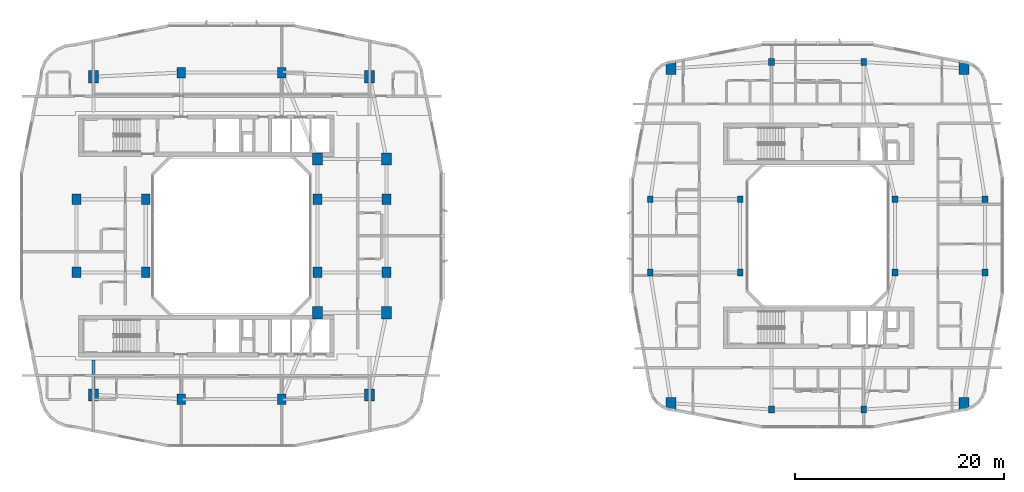
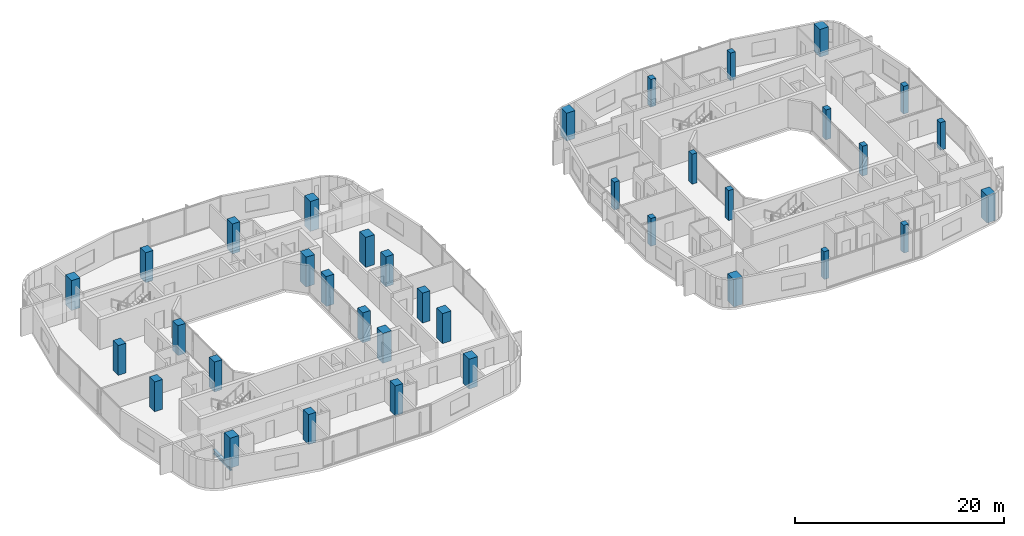
# One storey, part 1 of 26: 36 columns, 1 beam.
"""IFC4 building model written with IfcOpenShell, lengths in metres."""

import ifcopenshell
import ifcopenshell.guid

model = None  # the IFC model being written
_history = None  # IfcOwnerHistory: only IFC2X3 demands one
_inside = {}  # id of a spatial element -> (the spatial element, [elements in it])
_under = {}  # id of a project, library or spatial element -> (it, [spatial elements below it])
_declared = {}  # id of a project -> (the project, [libraries it declares])
_typed = {}  # id of a type object -> (the type object, [elements of that type])
_made_of = {}  # id of a material, layer set ... -> (it, [elements and type objects made of it])


def new_model(schema):
    """Start an empty IFC model of exactly this schema.

    Asked for "IFC4X3", IfcOpenShell would pick the latest addendum, in which some entities
    have other attributes; the version numbers below select the first issue.
    IFC2X3 requires an IfcOwnerHistory on every rooted entity: one is made here for all.
    """
    global model, _history
    if schema == "IFC4X3":
        model = ifcopenshell.file(schema_version=(4, 3, 0, 0))
    else:
        model = ifcopenshell.file(schema=schema)
    _inside.clear()
    _under.clear()
    _declared.clear()
    _typed.clear()
    _made_of.clear()
    _history = None
    if model.schema == "IFC2X3":
        org = make("IfcOrganization", Name="unknown")
        user = make(
            "IfcPersonAndOrganization",
            ThePerson=make("IfcPerson", FamilyName="unknown"),
            TheOrganization=org,
        )
        app = make(
            "IfcApplication",
            ApplicationDeveloper=org,
            Version="unknown",
            ApplicationFullName="unknown",
            ApplicationIdentifier="unknown",
        )
        _history = make(
            "IfcOwnerHistory",
            OwningUser=user,
            OwningApplication=app,
            ChangeAction="ADDED",
            CreationDate=0,
        )
    return model


def make(cls, **values):
    """One entity of the class cls with the attributes given. An attribute that is None is left unset."""
    return model.create_entity(
        cls, **{name: value for name, value in values.items() if value is not None}
    )


def rooted(cls, **values):
    """An entity with a GlobalId (a new one), such as an element, a storey or a relation."""
    return make(cls, GlobalId=ifcopenshell.guid.new(), OwnerHistory=_history, **values)


def si_unit(unit_type, name, prefix=None):
    """IfcSIUnit, for example si_unit("LENGTHUNIT", "METRE", prefix="MILLI")."""
    return make("IfcSIUnit", UnitType=unit_type, Prefix=prefix, Name=name)


def derived_unit(unit_type, elements):
    """IfcDerivedUnit: a product of units, each with its exponent."""
    return make(
        "IfcDerivedUnit",
        Elements=[
            make("IfcDerivedUnitElement", Unit=unit, Exponent=power)
            for unit, power in elements
        ],
        UnitType=unit_type,
    )


def assignment(units):
    """IfcUnitAssignment: the units of a project."""
    return None if units is None else make("IfcUnitAssignment", Units=units)


def point(xyz):
    """IfcCartesianPoint."""
    return None if xyz is None else make("IfcCartesianPoint", Coordinates=xyz)


def direction(xyz):
    """IfcDirection."""
    return None if xyz is None else make("IfcDirection", DirectionRatios=xyz)


def frame(location, z_axis=None, x_axis=None):
    """IfcAxis2Placement3D, a coordinate frame: its origin and axes. An axis left out is left unset."""
    return make(
        "IfcAxis2Placement3D",
        Location=point(location),
        Axis=direction(z_axis),
        RefDirection=direction(x_axis),
    )


def frame_2d(location, x_axis=None):
    """IfcAxis2Placement2D, a coordinate frame in the plane: its origin and x axis."""
    return make(
        "IfcAxis2Placement2D", Location=point(location), RefDirection=direction(x_axis)
    )


def origin():
    """The frame at (0, 0, 0) with its axes left unset."""
    return frame((0.0, 0.0, 0.0))


def origin_2d():
    """The frame at (0, 0) in the plane with its x axis left unset."""
    return frame_2d((0.0, 0.0))


def place(relative_to, where):
    """IfcLocalPlacement: puts the frame where relative to a parent placement (None: the world)."""
    return make(
        "IfcLocalPlacement", PlacementRelTo=relative_to, RelativePlacement=where
    )


def context(
    kind, dimensions, precision=None, world=None, true_north=None, identifier=None
):
    """IfcGeometricRepresentationContext, for example the 3D "Model" context."""
    return make(
        "IfcGeometricRepresentationContext",
        ContextIdentifier=identifier,
        ContextType=kind,
        CoordinateSpaceDimension=dimensions,
        Precision=precision,
        WorldCoordinateSystem=world,
        TrueNorth=true_north,
    )


def subcontext(parent, identifier, kind, view, scale=None):
    """IfcGeometricRepresentationSubContext, for example "Body" below "Model"."""
    return make(
        "IfcGeometricRepresentationSubContext",
        ContextIdentifier=identifier,
        ContextType=kind,
        ParentContext=parent,
        TargetScale=scale,
        TargetView=view,
    )


def project(units=None, contexts=None):
    """IfcProject with its units and contexts."""
    return rooted(
        "IfcProject",
        Name="project",
        RepresentationContexts=contexts,
        UnitsInContext=assignment(units),
    )


def spatial(cls, under=None, at=None, **own):
    """A site, building, storey or space (cls), placed at a placement, below another one or the project."""
    s = rooted(cls, ObjectPlacement=at, **own)
    if under is not None:
        _under.setdefault(under.id(), (under, []))[1].append(s)
    return s


def profile(cls, at=None, kind="AREA", **sizes):
    """A parametric profile (cls). Its sizes go by their IFC names, for example OverallWidth=200.0."""
    return make(cls, ProfileType=kind, Position=at, **sizes)


def rectangle(**sizes):
    """IfcRectangleProfileDef."""
    return profile("IfcRectangleProfileDef", **sizes)


def i_section(**sizes):
    """IfcIShapeProfileDef."""
    return profile("IfcIShapeProfileDef", **sizes)


def extrude(swept, where, along, depth):
    """IfcExtrudedAreaSolid: the profile swept, set in the frame where, extruded along a direction by depth."""
    return make(
        "IfcExtrudedAreaSolid",
        SweptArea=swept,
        Position=where,
        ExtrudedDirection=direction(along),
        Depth=depth,
    )


def shape(context_of_items, identifier, shape_type, items):
    """IfcShapeRepresentation: the items that make up one representation, for example the "Body"."""
    return make(
        "IfcShapeRepresentation",
        ContextOfItems=context_of_items,
        RepresentationIdentifier=identifier,
        RepresentationType=shape_type,
        Items=items,
    )


def material(Name=None, Category=None):
    """IfcMaterial."""
    return make("IfcMaterial", Name=Name, Category=Category)


def material_profile(
    of_material, cross_section, Name=None, Category=None, Priority=None
):
    """IfcMaterialProfile: a cross section and its material."""
    return make(
        "IfcMaterialProfile",
        Name=Name,
        Material=of_material,
        Profile=cross_section,
        Priority=Priority,
        Category=Category,
    )


def profile_set(profiles, Name=None, composite=None):
    """IfcMaterialProfileSet."""
    return make(
        "IfcMaterialProfileSet",
        Name=Name,
        MaterialProfiles=profiles,
        CompositeProfile=composite,
    )


def made_of(thing, what):
    """Note that an element or type object is made of a material, layer set ...; save() writes the relation."""
    if what is not None:
        _made_of.setdefault(what.id(), (what, []))[1].append(thing)
    return thing


def type_object(cls, material=None, **own):
    """A type object (cls), such as IfcWallType, which elements share."""
    return made_of(rooted(cls, **own), material)


def element(
    cls,
    number,
    at=None,
    inside=None,
    cuts=None,
    type_object=None,
    material=None,
    context=None,
    identifier="Body",
    shape_type=None,
    held_by="IfcProductDefinitionShape",
    body=None,
    shapes=None,
    **own,
):
    """One element of the class cls, such as IfcWall. Its Tag is "e" and its number.

    at: its placement. inside: the storey or other place that contains it. cuts: it is an
    opening in that element (IfcRelVoidsElement). A single representation is given by context,
    identifier, shape_type and body (its items); several are given by shapes. held_by: the class
    of the entity that holds the representations. save() writes the other relations.
    """
    e = rooted(cls, Tag="e%d" % number, ObjectPlacement=at, **own)
    if body is not None:
        shapes = [shape(context, identifier, shape_type, body)]
    if shapes is not None:
        e.Representation = make(held_by, Representations=shapes)
    if inside is not None:
        _inside.setdefault(inside.id(), (inside, []))[1].append(e)
    if cuts is not None:
        rooted(
            "IfcRelVoidsElement", RelatingBuildingElement=cuts, RelatedOpeningElement=e
        )
    if type_object is not None:
        _typed.setdefault(type_object.id(), (type_object, []))[1].append(e)
    return made_of(e, material)


def aggregate(whole, parts):
    """IfcRelAggregates: a whole, such as a stair, and the parts it consists of."""
    return rooted("IfcRelAggregates", RelatingObject=whole, RelatedObjects=parts)


def save(model, path):
    """Write the relations noted so far, then the file.

    IfcRelAggregates (storeys below a building ...), IfcRelContainedInSpatialStructure (elements
    in a storey), IfcRelDefinesByType, IfcRelAssociatesMaterial and IfcRelDeclares: one each for
    every whole, place, type object, material and project.
    """
    for whole, parts in _under.values():
        aggregate(whole, parts)
    for where, things in _inside.values():
        rooted(
            "IfcRelContainedInSpatialStructure",
            RelatedElements=things,
            RelatingStructure=where,
        )
    for kind, things in _typed.values():
        rooted("IfcRelDefinesByType", RelatedObjects=things, RelatingType=kind)
    for what, things in _made_of.values():
        rooted("IfcRelAssociatesMaterial", RelatedObjects=things, RelatingMaterial=what)
    for by, libraries in _declared.values():
        rooted("IfcRelDeclares", RelatingContext=by, RelatedDefinitions=libraries)
    model.write(path)


model = new_model("IFC4")

# Units and contexts
model_context = context("Model", 3, precision=1e-05, world=origin(), true_north=direction((0.0, 1.0)))
body_context = subcontext(model_context, "Body", "Model", "MODEL_VIEW")
ifc_project = project(units=[si_unit("LENGTHUNIT", "METRE"), si_unit("AREAUNIT", "SQUARE_METRE"), si_unit("VOLUMEUNIT", "CUBIC_METRE"), si_unit("PLANEANGLEUNIT", "RADIAN"), si_unit("MASSUNIT", "GRAM", prefix="KILO"), derived_unit("THERMALTRANSMITTANCEUNIT", [(si_unit("POWERUNIT", "WATT"), 1), (si_unit("LENGTHUNIT", "METRE"), -2), (si_unit("THERMODYNAMICTEMPERATUREUNIT", "KELVIN"), -1)])], contexts=[model_context])

# Site, building, storey
site_placement = place(None, origin())
site = spatial("IfcSite", under=ifc_project, at=site_placement, CompositionType="ELEMENT")
building_placement = place(site_placement, origin())
building = spatial("IfcBuilding", under=site, at=building_placement, Name="Kivonza Crest Hotel", CompositionType="ELEMENT")
storey_placement = place(building_placement, frame((0.0, 0.0, 127.5)))
storey = spatial("IfcBuildingStorey", under=building, at=storey_placement, Name="L34", CompositionType="ELEMENT", Elevation=127.5)

# Columns
ifc_material_1 = material(Name="Concrete C50/60", Category="concrete")
ifc_material_profile_1 = material_profile(ifc_material_1, rectangle(XDim=0.85009765625, YDim=1.0, at=origin_2d()), Name="RC 1000x850")
ifc_profile_set_1 = profile_set([ifc_material_profile_1], Name="Concrete C50/60")
column_type_1 = type_object("IfcColumnType", Name="CL-RC-1000x850", PredefinedType="COLUMN", material=ifc_profile_set_1)
for number, where, z_axis, x_axis, name in (
    (1, (16.199951171875, 9.39990234375, 0.0), (0.0, 0.0, 1.0), (1.0, 0.0, 0.0), "Tower T1 L34 column S1"),
    (2, (25.800048828125, 9.39990234375, 0.0), (0.0, 0.0, 1.0), (1.0, 0.0, 0.0), "Tower T1 L34 column S2"),
    (3, (16.199951171875, 40.60009765625, 0.0), (0.0, 0.0, 1.0), (1.0, 0.0, 0.0), "Tower T1 L34 column N1"),
    (4, (25.800048828125, 40.60009765625, 0.0), (0.0, 0.0, 1.0), (1.0, 0.0, 0.0), "Tower T1 L34 column N2"),
    (5, (6.199951171875, 21.5, 0.0), (0.0, 0.0, 1.0), (1.0, 0.0, 0.0), "Tower T1 L34 column W1"),
    (6, (6.199951171875, 28.5, 0.0), (0.0, 0.0, 1.0), (1.0, 0.0, 0.0), "Tower T1 L34 column W2"),
    (7, (35.800048828125, 21.5, 0.0), (0.0, 0.0, 1.0), (1.0, 0.0, 0.0), "Tower T1 L34 column E1"),
    (8, (35.800048828125, 28.5, 0.0), (0.0, 0.0, 1.0), (1.0, 0.0, 0.0), "Tower T1 L34 column E2"),
    (9, (12.800048828125, 21.5, 0.0), (0.0, 0.0, 1.0), (1.0, 0.0, 0.0), "Tower T1 L34 column WL1"),
    (10, (12.800048828125, 28.5, 0.0), (0.0, 0.0, 1.0), (1.0, 0.0, 0.0), "Tower T1 L34 column WL2"),
    (11, (29.199951171875, 21.5, 0.0), (0.0, 0.0, 1.0), (1.0, 0.0, 0.0), "Tower T1 L34 column WR1"),
    (12, (29.199951171875, 28.5, 0.0), (0.0, 0.0, 1.0), (1.0, 0.0, 0.0), "Tower T1 L34 column WR2"),
):
    element("IfcColumn", number, at=place(storey_placement, frame(where, z_axis=z_axis, x_axis=x_axis)), inside=storey, type_object=column_type_1, Name=name, PredefinedType="COLUMN", context=body_context, shape_type="SweptSolid", body=[
        extrude(rectangle(XDim=0.85009765625, YDim=1.0, at=origin_2d()), origin(), (0.0, 0.0, 1.0), 3.5),
    ])
ifc_material_2 = material(Name="Concrete C60/75", Category="concrete")
ifc_material_profile_2 = material_profile(ifc_material_2, rectangle(XDim=0.949951171875, YDim=1.14990234375, at=origin_2d()), Name="RC 1150x950")
ifc_profile_set_2 = profile_set([ifc_material_profile_2], Name="Concrete C60/75")
column_type_2 = type_object("IfcColumnType", Name="CL-RC-1150x950", PredefinedType="COLUMN", material=ifc_profile_set_2)
for number, where, z_axis, x_axis, name in (
    (13, (7.800048828125, 9.800048828125, 0.0), (0.0, 0.0, 1.0), (1.0, 0.0, 0.0), "Tower T1 L34 column SW"),
    (14, (34.199951171875, 9.800048828125, 0.0), (0.0, 0.0, 1.0), (1.0, 0.0, 0.0), "Tower T1 L34 column SE"),
    (15, (34.199951171875, 40.199951171875, 0.0), (0.0, 0.0, 1.0), (1.0, 0.0, 0.0), "Tower T1 L34 column NE"),
    (16, (7.800048828125, 40.199951171875, 0.0), (0.0, 0.0, 1.0), (1.0, 0.0, 0.0), "Tower T1 L34 column NW"),
    (17, (35.800048828125, 17.64990234375, 0.0), (0.0, 0.0, 1.0), (1.0, 0.0, 0.0), "Tower T1 L34 column PSE"),
    (18, (35.800048828125, 32.35009765625, 0.0), (0.0, 0.0, 1.0), (1.0, 0.0, 0.0), "Tower T1 L34 column PNE"),
    (19, (29.199951171875, 17.64990234375, 0.0), (0.0, 0.0, 1.0), (1.0, 0.0, 0.0), "Tower T1 L34 column TSE"),
    (20, (29.199951171875, 32.35009765625, 0.0), (0.0, 0.0, 1.0), (1.0, 0.0, 0.0), "Tower T1 L34 column TNE"),
):
    element("IfcColumn", number, at=place(storey_placement, frame(where, z_axis=z_axis, x_axis=x_axis)), inside=storey, type_object=column_type_2, Name=name, PredefinedType="COLUMN", context=body_context, shape_type="SweptSolid", body=[
        extrude(rectangle(XDim=0.949951171875, YDim=1.14990234375, at=origin_2d()), origin(), (0.0, 0.0, 1.0), 3.5),
    ])
for number, where, z_axis, x_axis, name in (
    (21, (63.0, 9.0, 0.0), (0.0, 0.0, 1.0), (1.0, 0.0, 0.0), "Companion Tower T2 L34 column SW"),
    (22, (91.0, 9.0, 0.0), (0.0, 0.0, 1.0), (1.0, 0.0, 0.0), "Companion Tower T2 L34 column SE"),
    (23, (91.0, 41.0, 0.0), (0.0, 0.0, 1.0), (1.0, 0.0, 0.0), "Companion Tower T2 L34 column NE"),
    (24, (63.0, 41.0, 0.0), (0.0, 0.0, 1.0), (1.0, 0.0, 0.0), "Companion Tower T2 L34 column NW"),
):
    element("IfcColumn", number, at=place(storey_placement, frame(where, z_axis=z_axis, x_axis=x_axis)), inside=storey, type_object=column_type_2, Name=name, PredefinedType="COLUMN", context=body_context, shape_type="SweptSolid", body=[
        extrude(rectangle(XDim=0.949951171875, YDim=1.14990234375, at=origin_2d()), origin(), (0.0, 0.0, 1.0), 3.239990234375),
    ])
ifc_material_profile_3 = material_profile(ifc_material_1, rectangle(XDim=0.550048828125, YDim=0.64990234375, at=origin_2d()), Name="RC 650x550")
ifc_profile_set_3 = profile_set([ifc_material_profile_3], Name="Concrete C50/60")
column_type_3 = type_object("IfcColumnType", Name="CL-RC-650x550", PredefinedType="COLUMN", material=ifc_profile_set_3)
for number, where, z_axis, x_axis, name in (
    (25, (72.60009765625, 8.39990234375, 0.0), (0.0, 0.0, 1.0), (1.0, 0.0, 0.0), "Companion Tower T2 L34 column S1"),
    (26, (81.39990234375, 8.39990234375, 0.0), (0.0, 0.0, 1.0), (1.0, 0.0, 0.0), "Companion Tower T2 L34 column S2"),
    (27, (72.60009765625, 41.60009765625, 0.0), (0.0, 0.0, 1.0), (1.0, 0.0, 0.0), "Companion Tower T2 L34 column N1"),
    (28, (81.39990234375, 41.60009765625, 0.0), (0.0, 0.0, 1.0), (1.0, 0.0, 0.0), "Companion Tower T2 L34 column N2"),
    (29, (61.0, 21.5, 0.0), (0.0, 0.0, 1.0), (1.0, 0.0, 0.0), "Companion Tower T2 L34 column W1"),
    (30, (61.0, 28.5, 0.0), (0.0, 0.0, 1.0), (1.0, 0.0, 0.0), "Companion Tower T2 L34 column W2"),
    (31, (93.0, 21.5, 0.0), (0.0, 0.0, 1.0), (1.0, 0.0, 0.0), "Companion Tower T2 L34 column E1"),
    (32, (93.0, 28.5, 0.0), (0.0, 0.0, 1.0), (1.0, 0.0, 0.0), "Companion Tower T2 L34 column E2"),
):
    element("IfcColumn", number, at=place(storey_placement, frame(where, z_axis=z_axis, x_axis=x_axis)), inside=storey, type_object=column_type_3, Name=name, PredefinedType="COLUMN", context=body_context, shape_type="SweptSolid", body=[
        extrude(rectangle(XDim=0.550048828125, YDim=0.64990234375, at=origin_2d()), origin(), (0.0, 0.0, 1.0), 3.239990234375),
    ])
for number, where, z_axis, x_axis, name in (
    (33, (69.60009765625, 21.5, 0.0), (0.0, 0.0, 1.0), (1.0, 0.0, 0.0), "Companion Tower T2 L34 column WL1"),
    (34, (69.60009765625, 28.5, 0.0), (0.0, 0.0, 1.0), (1.0, 0.0, 0.0), "Companion Tower T2 L34 column WL2"),
    (35, (84.39990234375, 21.5, 0.0), (0.0, 0.0, 1.0), (1.0, 0.0, 0.0), "Companion Tower T2 L34 column WR1"),
    (36, (84.39990234375, 28.5, 0.0), (0.0, 0.0, 1.0), (1.0, 0.0, 0.0), "Companion Tower T2 L34 column WR2"),
):
    element("IfcColumn", number, at=place(storey_placement, frame(where, z_axis=z_axis, x_axis=x_axis)), inside=storey, type_object=column_type_3, Name=name, PredefinedType="COLUMN", context=body_context, shape_type="SweptSolid", body=[
        extrude(rectangle(XDim=0.550048828125, YDim=0.64990234375, at=origin_2d()), origin(), (0.0, 0.0, 1.0), 3.5),
    ])

# Beam
ifc_material_3 = material(Name="Steel S355", Category="steel")
ifc_material_profile_4 = material_profile(ifc_material_3, i_section(OverallWidth=0.300048828125, OverallDepth=0.5, WebThickness=0.014404296875, FlangeThickness=0.028076171875, FilletRadius=0.027099609375, at=origin_2d()), Name="HEB 500")
ifc_profile_set_4 = profile_set([ifc_material_profile_4], Name="Steel S355")
beam_type = type_object("IfcBeamType", Name="BM-HEB500", PredefinedType="BEAM", material=ifc_profile_set_4)
beam_placement = place(storey_placement, frame((7.800048828125, 9.800048828125, -0.530029296875), z_axis=(0.0, 1.0, 0.0), x_axis=(-1.0, 0.0, 0.0)))
element("IfcBeam", 37, at=beam_placement, inside=storey, type_object=beam_type, Name="Tower T1 L34 radial core girder RSW", PredefinedType="BEAM", context=body_context, shape_type="SweptSolid", body=[
    extrude(i_section(OverallWidth=0.300048828125, OverallDepth=0.5, WebThickness=0.014404296875, FlangeThickness=0.028076171875, FilletRadius=0.027099609375, at=origin_2d()), origin(), (0.0, 0.0, 1.0), 3.349853515625),
])

save(model, "model.ifc")
